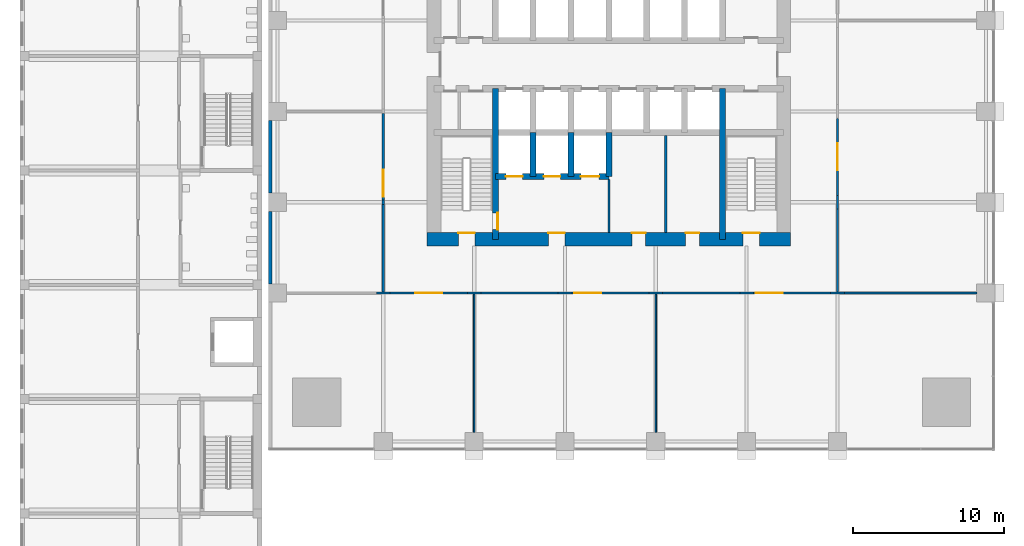
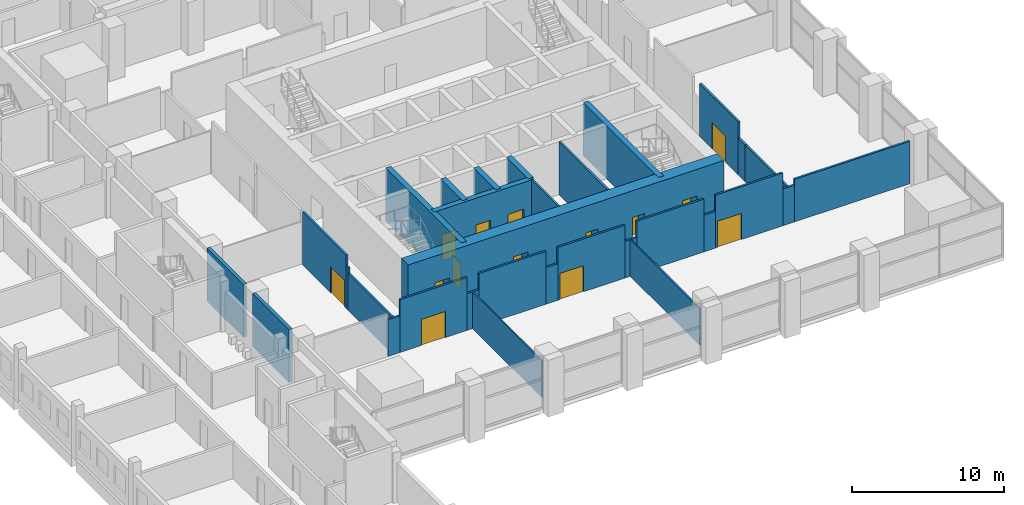
# One storey, part 11 of 24: 31 walls, 14 doors, 14 openings.
"""IFC4 building model written with IfcOpenShell, lengths in metres."""

from ifc_helpers import new_model, si_unit, direction, frame, frame_2d, origin, place, context, subcontext, project, spatial, rectangle, extrude, material, layer, layer_set, type_object, element, fill, save


model = new_model("IFC4")

# Units and contexts
model_context = context("Model", 3, precision=1e-05, world=origin(), true_north=direction((0.0, 1.0)))
body_context = subcontext(model_context, "Body", "Model", "MODEL_VIEW")
ifc_project = project(units=[si_unit("LENGTHUNIT", "METRE"), si_unit("AREAUNIT", "SQUARE_METRE"), si_unit("VOLUMEUNIT", "CUBIC_METRE"), si_unit("PLANEANGLEUNIT", "RADIAN"), si_unit("MASSUNIT", "GRAM", prefix="KILO")], contexts=[model_context])

# Site, building, storey
site_placement = place(None, origin())
site = spatial("IfcSite", under=ifc_project, at=site_placement, CompositionType="ELEMENT")
building_placement = place(site_placement, origin())
building = spatial("IfcBuilding", under=site, at=building_placement, Name="Amberfall Residences", CompositionType="ELEMENT")
storey_placement = place(building_placement, frame((0.0, 0.0, 19.0)))
storey = spatial("IfcBuildingStorey", under=building, at=storey_placement, Name="L04", CompositionType="ELEMENT", Elevation=19.0)

# Wall, opening, door
ifc_material_1 = material(Name="Concrete C80", Category="concrete")
ifc_layer_1 = layer(ifc_material_1, 0.39990234375)
ifc_layer_set_1 = layer_set([ifc_layer_1], Name="Core wall 400 C80")
wall_type_1 = type_object("IfcWallType", Name="Core wall 400 C80", PredefinedType="SHEAR", material=ifc_layer_set_1)
wall_1_placement = place(storey_placement, frame((67.0, 33.949951171875, 0.0), z_axis=(0.0, 0.0, 1.0), x_axis=(0.0, 1.0, 0.0)))
wall_1 = element("IfcWall", 1, at=wall_1_placement, inside=storey, type_object=wall_type_1, Name="Core wall RW2 L04 V45S", PredefinedType="SHEAR", context=body_context, shape_type="SweptSolid", body=[
    extrude(rectangle(XDim=9.949951171875, YDim=0.39990234375, at=frame_2d((4.97509765625, 0.0))), origin(), (0.0, 0.0, 1.0), 4.25),
])
opening_1_placement = place(wall_1_placement, frame((0.64990234375, 0.0, 0.0)))
opening_1 = element("IfcOpeningElement", 2, at=opening_1_placement, cuts=wall_1, Name="Opening FL1", PredefinedType="OPENING", context=body_context, shape_type="SweptSolid", body=[
    extrude(rectangle(XDim=1.10009765625, YDim=2.10009765625, at=frame_2d((0.550048828125, 1.050048828125))), frame((0.0, 0.2099609375, 0.0), z_axis=(0.0, -1.0, 0.0), x_axis=(1.0, 0.0, 0.0)), (0.0, 0.0, 1.0), 0.419921875),
])
ifc_material_2 = material(Name="Steel fire door set", Category="steel")
door_type_1 = type_object("IfcDoorType", Name="Firefighting lobby door 1100 x 2100", OperationType="SINGLE_SWING_LEFT", PredefinedType="DOOR", material=ifc_material_2)
door_1_placement = place(opening_1_placement, origin())
door_1 = element("IfcDoor", 3, at=door_1_placement, inside=storey, type_object=door_type_1, Name="FL1 L04", OperationType="SINGLE_SWING_RIGHT", OverallHeight=2.10009765625, OverallWidth=1.10009765625, PredefinedType="DOOR", context=body_context, shape_type="SweptSolid", body=[
    extrude(rectangle(XDim=1.10009765625, YDim=2.10009765625, at=frame_2d((0.550048828125, 1.050048828125))), frame((0.0, -0.1376953125, 0.0), z_axis=(0.0, -1.0, 0.0), x_axis=(1.0, 0.0, 0.0)), (0.0, 0.0, 1.0), 0.050048828125),
])
fill(opening_1, door_1)

# Wall
wall_2_placement = place(storey_placement, frame((82.0, 33.949951171875, 0.0), z_axis=(0.0, 0.0, 1.0), x_axis=(0.0, 1.0, 0.0)))
element("IfcWall", 4, at=wall_2_placement, inside=storey, type_object=wall_type_1, Name="Core wall RW2 L04 V195S", PredefinedType="SHEAR", context=body_context, shape_type="SweptSolid", body=[
    extrude(rectangle(XDim=9.949951171875, YDim=0.39990234375, at=frame_2d((4.97509765625, 0.0))), origin(), (0.0, 0.0, 1.0), 4.25),
])

# Wall, openings, doors
wall_3_placement = place(storey_placement, frame((67.0, 38.10009765625, 0.0), z_axis=(0.0, 0.0, 1.0), x_axis=(1.0, 0.0, 0.0)))
wall_3 = element("IfcWall", 5, at=wall_3_placement, inside=storey, type_object=wall_type_1, Name="Core wall RW2 L04 FFF", PredefinedType="SHEAR", context=body_context, shape_type="SweptSolid", body=[
    extrude(rectangle(XDim=7.5, YDim=0.39990234375, at=frame_2d((3.75, 0.0))), origin(), (0.0, 0.0, 1.0), 4.25),
])
opening_2_placement = place(wall_3_placement, frame((0.699951171875, 0.0, 0.0)))
opening_2 = element("IfcOpeningElement", 6, at=opening_2_placement, cuts=wall_3, Name="Opening LD2", PredefinedType="OPENING", context=body_context, shape_type="SweptSolid", body=[
    extrude(rectangle(XDim=1.10009765625, YDim=2.10009765625, at=frame_2d((0.550048828125, 1.050048828125))), frame((0.0, 0.2099609375, 0.0), z_axis=(0.0, -1.0, 0.0), x_axis=(1.0, 0.0, 0.0)), (0.0, 0.0, 1.0), 0.419921875),
])
opening_3_placement = place(wall_3_placement, frame((3.199951171875, 0.0, 0.0)))
opening_3 = element("IfcOpeningElement", 7, at=opening_3_placement, cuts=wall_3, Name="Opening LD2", PredefinedType="OPENING", context=body_context, shape_type="SweptSolid", body=[
    extrude(rectangle(XDim=1.10009765625, YDim=2.10009765625, at=frame_2d((0.550048828125, 1.050048828125))), frame((0.0, 0.2099609375, 0.0), z_axis=(0.0, -1.0, 0.0), x_axis=(1.0, 0.0, 0.0)), (0.0, 0.0, 1.0), 0.419921875),
])
opening_4_placement = place(wall_3_placement, frame((5.64990234375, 0.0, 0.0)))
opening_4 = element("IfcOpeningElement", 8, at=opening_4_placement, cuts=wall_3, Name="Opening LD3", PredefinedType="OPENING", context=body_context, shape_type="SweptSolid", body=[
    extrude(rectangle(XDim=1.199951171875, YDim=2.10009765625, at=frame_2d((0.60009765625, 1.050048828125))), frame((0.0, 0.2099609375, 0.0), z_axis=(0.0, -1.0, 0.0), x_axis=(1.0, 0.0, 0.0)), (0.0, 0.0, 1.0), 0.419921875),
])
door_type_2 = type_object("IfcDoorType", Name="Firefighting lift landing door 1100 x 2100", OperationType="DOUBLE_DOOR_SLIDING", PredefinedType="DOOR", material=ifc_material_2)
door_2_placement = place(opening_2_placement, origin())
door_2 = element("IfcDoor", 9, at=door_2_placement, inside=storey, type_object=door_type_2, Name="Landing door FF1 L04", OperationType="DOUBLE_DOOR_SLIDING", OverallHeight=2.10009765625, OverallWidth=1.10009765625, PredefinedType="DOOR", context=body_context, shape_type="SweptSolid", body=[
    extrude(rectangle(XDim=1.10009765625, YDim=2.10009765625, at=frame_2d((0.550048828125, 1.050048828125))), frame((0.0, 0.02490234375, 0.0), z_axis=(0.0, -1.0, 0.0), x_axis=(1.0, 0.0, 0.0)), (0.0, 0.0, 1.0), 0.050048828125),
])
fill(opening_2, door_2)
door_3_placement = place(opening_3_placement, origin())
door_3 = element("IfcDoor", 10, at=door_3_placement, inside=storey, type_object=door_type_2, Name="Landing door FF2 L04", OperationType="DOUBLE_DOOR_SLIDING", OverallHeight=2.10009765625, OverallWidth=1.10009765625, PredefinedType="DOOR", context=body_context, shape_type="SweptSolid", body=[
    extrude(rectangle(XDim=1.10009765625, YDim=2.10009765625, at=frame_2d((0.550048828125, 1.050048828125))), frame((0.0, 0.02490234375, 0.0), z_axis=(0.0, -1.0, 0.0), x_axis=(1.0, 0.0, 0.0)), (0.0, 0.0, 1.0), 0.050048828125),
])
fill(opening_3, door_3)
door_type_3 = type_object("IfcDoorType", Name="Service lift landing door 1200 x 2100", OperationType="DOUBLE_DOOR_SLIDING", PredefinedType="DOOR", material=ifc_material_2)
door_4_placement = place(opening_4_placement, origin())
door_4 = element("IfcDoor", 11, at=door_4_placement, inside=storey, type_object=door_type_3, Name="Landing door SL1 L04", OperationType="DOUBLE_DOOR_SLIDING", OverallHeight=2.10009765625, OverallWidth=1.199951171875, PredefinedType="DOOR", context=body_context, shape_type="SweptSolid", body=[
    extrude(rectangle(XDim=1.199951171875, YDim=2.10009765625, at=frame_2d((0.60009765625, 1.050048828125))), frame((0.0, 0.02490234375, 0.0), z_axis=(0.0, -1.0, 0.0), x_axis=(1.0, 0.0, 0.0)), (0.0, 0.0, 1.0), 0.050048828125),
])
fill(opening_4, door_4)

# Walls
for number, where, z_axis, x_axis, name in (
    (12, (69.5, 38.10009765625, 0.0), (0.0, 0.0, 1.0), (0.0, 1.0, 0.0), "Core wall RW2 L04 FFD1"),
    (13, (72.0, 38.10009765625, 0.0), (0.0, 0.0, 1.0), (0.0, 1.0, 0.0), "Core wall RW2 L04 FFD2"),
    (14, (74.5, 38.10009765625, 0.0), (0.0, 0.0, 1.0), (0.0, 1.0, 0.0), "Core wall RW2 L04 FFD3"),
):
    element("IfcWall", number, at=place(storey_placement, frame(where, z_axis=z_axis, x_axis=x_axis)), inside=storey, type_object=wall_type_1, Name=name, PredefinedType="SHEAR", context=body_context, shape_type="SweptSolid", body=[
        extrude(rectangle(XDim=2.89990234375, YDim=0.39990234375, at=frame_2d((1.449951171875, 0.0))), origin(), (0.0, 0.0, 1.0), 4.25),
    ])

# Wall, openings, doors
ifc_layer_2 = layer(ifc_material_1, 0.89990234375)
ifc_layer_set_2 = layer_set([ifc_layer_2], Name="Core wall 900 C80")
wall_type_2 = type_object("IfcWallType", Name="Core wall 900 C80", PredefinedType="SHEAR", material=ifc_layer_set_2)
wall_4_placement = place(storey_placement, frame((62.5, 33.949951171875, 0.0), z_axis=(0.0, 0.0, 1.0), x_axis=(1.0, 0.0, 0.0)))
wall_4 = element("IfcWall", 15, at=wall_4_placement, inside=storey, type_object=wall_type_2, Name="Core wall RW1 L04 OS", PredefinedType="SHEAR", context=body_context, shape_type="SweptSolid", body=[
    extrude(rectangle(XDim=24.0, YDim=0.89990234375, at=frame_2d((12.0, 0.0))), origin(), (0.0, 0.0, 1.0), 4.25),
])
opening_5_placement = place(wall_4_placement, frame((2.050048828125, 0.0, 0.0)))
opening_5 = element("IfcOpeningElement", 16, at=opening_5_placement, cuts=wall_4, Name="Opening SD1", PredefinedType="OPENING", context=body_context, shape_type="SweptSolid", body=[
    extrude(rectangle(XDim=1.10009765625, YDim=2.10009765625, at=frame_2d((0.550048828125, 1.050048828125))), frame((0.0, 0.4599609375, 0.0), z_axis=(0.0, -1.0, 0.0), x_axis=(1.0, 0.0, 0.0)), (0.0, 0.0, 1.0), 0.919921875),
])
opening_6_placement = place(wall_4_placement, frame((20.85009765625, 0.0, 0.0)))
opening_6 = element("IfcOpeningElement", 17, at=opening_6_placement, cuts=wall_4, Name="Opening SD1", PredefinedType="OPENING", context=body_context, shape_type="SweptSolid", body=[
    extrude(rectangle(XDim=1.10009765625, YDim=2.10009765625, at=frame_2d((0.550048828125, 1.050048828125))), frame((0.0, 0.4599609375, 0.0), z_axis=(0.0, -1.0, 0.0), x_axis=(1.0, 0.0, 0.0)), (0.0, 0.0, 1.0), 0.919921875),
])
opening_7_placement = place(wall_4_placement, frame((8.0, 0.0, 0.0)))
opening_7 = element("IfcOpeningElement", 18, at=opening_7_placement, cuts=wall_4, Name="Opening FL1", PredefinedType="OPENING", context=body_context, shape_type="SweptSolid", body=[
    extrude(rectangle(XDim=1.10009765625, YDim=2.10009765625, at=frame_2d((0.550048828125, 1.050048828125))), frame((0.0, 0.4599609375, 0.0), z_axis=(0.0, -1.0, 0.0), x_axis=(1.0, 0.0, 0.0)), (0.0, 0.0, 1.0), 0.919921875),
])
opening_8_placement = place(wall_4_placement, frame((13.52490234375, 0.0, 0.0)))
opening_8 = element("IfcOpeningElement", 19, at=opening_8_placement, cuts=wall_4, Name="Opening RD1", PredefinedType="OPENING", context=body_context, shape_type="SweptSolid", body=[
    extrude(rectangle(XDim=0.89990234375, YDim=2.10009765625, at=frame_2d((0.449951171875, 1.050048828125))), frame((0.0, 0.4599609375, 0.0), z_axis=(0.0, -1.0, 0.0), x_axis=(1.0, 0.0, 0.0)), (0.0, 0.0, 1.0), 0.919921875),
])
opening_9_placement = place(wall_4_placement, frame((17.074951171875, 0.0, 0.0)))
opening_9 = element("IfcOpeningElement", 20, at=opening_9_placement, cuts=wall_4, Name="Opening RD1", PredefinedType="OPENING", context=body_context, shape_type="SweptSolid", body=[
    extrude(rectangle(XDim=0.89990234375, YDim=2.10009765625, at=frame_2d((0.449951171875, 1.050048828125))), frame((0.0, 0.4599609375, 0.0), z_axis=(0.0, -1.0, 0.0), x_axis=(1.0, 0.0, 0.0)), (0.0, 0.0, 1.0), 0.919921875),
])
door_5_placement = place(opening_7_placement, origin())
door_5 = element("IfcDoor", 21, at=door_5_placement, inside=storey, type_object=door_type_1, Name="FL1 L04", OperationType="SINGLE_SWING_LEFT", OverallHeight=2.10009765625, OverallWidth=1.10009765625, PredefinedType="DOOR", context=body_context, shape_type="SweptSolid", body=[
    extrude(rectangle(XDim=1.10009765625, YDim=2.10009765625, at=frame_2d((0.550048828125, 1.050048828125))), frame((0.0, 0.4375, 0.0), z_axis=(0.0, -1.0, 0.0), x_axis=(1.0, 0.0, 0.0)), (0.0, 0.0, 1.0), 0.050048828125),
])
fill(opening_7, door_5)
door_type_4 = type_object("IfcDoorType", Name="Service room door 900 x 2100", OperationType="SINGLE_SWING_LEFT", PredefinedType="DOOR", material=ifc_material_2)
door_6_placement = place(opening_8_placement, origin())
door_6 = element("IfcDoor", 22, at=door_6_placement, inside=storey, type_object=door_type_4, Name="RD1 L04", OperationType="SINGLE_SWING_LEFT", OverallHeight=2.10009765625, OverallWidth=0.89990234375, PredefinedType="DOOR", context=body_context, shape_type="SweptSolid", body=[
    extrude(rectangle(XDim=0.89990234375, YDim=2.10009765625, at=frame_2d((0.449951171875, 1.050048828125))), frame((0.0, 0.4375, 0.0), z_axis=(0.0, -1.0, 0.0), x_axis=(1.0, 0.0, 0.0)), (0.0, 0.0, 1.0), 0.050048828125),
])
fill(opening_8, door_6)
door_7_placement = place(opening_9_placement, origin())
door_7 = element("IfcDoor", 23, at=door_7_placement, inside=storey, type_object=door_type_4, Name="RD1 L04", OperationType="SINGLE_SWING_LEFT", OverallHeight=2.10009765625, OverallWidth=0.89990234375, PredefinedType="DOOR", context=body_context, shape_type="SweptSolid", body=[
    extrude(rectangle(XDim=0.89990234375, YDim=2.10009765625, at=frame_2d((0.449951171875, 1.050048828125))), frame((0.0, 0.4375, 0.0), z_axis=(0.0, -1.0, 0.0), x_axis=(1.0, 0.0, 0.0)), (0.0, 0.0, 1.0), 0.050048828125),
])
fill(opening_9, door_7)
door_type_5 = type_object("IfcDoorType", Name="Stair door 1100 x 2100", OperationType="SINGLE_SWING_LEFT", PredefinedType="DOOR", material=ifc_material_2)
door_8_placement = place(opening_5_placement, origin())
door_8 = element("IfcDoor", 24, at=door_8_placement, inside=storey, type_object=door_type_5, Name="SD1 L04", OperationType="SINGLE_SWING_LEFT", OverallHeight=2.10009765625, OverallWidth=1.10009765625, PredefinedType="DOOR", context=body_context, shape_type="SweptSolid", body=[
    extrude(rectangle(XDim=1.10009765625, YDim=2.10009765625, at=frame_2d((0.550048828125, 1.050048828125))), frame((0.0, 0.4375, 0.0), z_axis=(0.0, -1.0, 0.0), x_axis=(1.0, 0.0, 0.0)), (0.0, 0.0, 1.0), 0.050048828125),
])
fill(opening_5, door_8)
door_9_placement = place(opening_6_placement, origin())
door_9 = element("IfcDoor", 25, at=door_9_placement, inside=storey, type_object=door_type_5, Name="SD1 L04", OperationType="SINGLE_SWING_RIGHT", OverallHeight=2.10009765625, OverallWidth=1.10009765625, PredefinedType="DOOR", context=body_context, shape_type="SweptSolid", body=[
    extrude(rectangle(XDim=1.10009765625, YDim=2.10009765625, at=frame_2d((0.550048828125, 1.050048828125))), frame((0.0, 0.4375, 0.0), z_axis=(0.0, -1.0, 0.0), x_axis=(1.0, 0.0, 0.0)), (0.0, 0.0, 1.0), 0.050048828125),
])
fill(opening_6, door_9)

# Walls
ifc_material_3 = material(Name="Gypsum board on steel studs", Category="steel")
ifc_layer_3 = layer(ifc_material_3, 0.10009765625)
ifc_layer_set_3 = layer_set([ifc_layer_3], Name="Partition 100")
wall_type_3 = type_object("IfcWallType", Name="Partition 100", PredefinedType="PARTITIONING", material=ifc_layer_set_3)
for number, where, z_axis, x_axis, name in (
    (26, (65.60009765625, 21.199951171875, 0.0), (0.0, 0.0, 1.0), (0.0, 1.0, 0.0), "Partition 100 L04 004"),
    (27, (77.60009765625, 21.199951171875, 0.0), (0.0, 0.0, 1.0), (0.0, 1.0, 0.0), "Partition 100 L04 011"),
):
    element("IfcWall", number, at=place(storey_placement, frame(where, z_axis=z_axis, x_axis=x_axis)), inside=storey, type_object=wall_type_3, Name=name, PredefinedType="PARTITIONING", context=body_context, shape_type="SweptSolid", body=[
        extrude(rectangle(XDim=9.125, YDim=0.10009765625, at=frame_2d((4.5625, 0.0))), origin(), (0.0, 0.0, 1.0), 2.949951171875),
    ])
ifc_material_4 = material(Name="Fire-rated gypsum board on steel studs", Category="steel")
ifc_layer_4 = layer(ifc_material_4, 0.14990234375)
ifc_layer_set_4 = layer_set([ifc_layer_4], Name="Partition 150 fire-rated")
wall_type_4 = type_object("IfcWallType", Name="Partition 150 fire-rated", PredefinedType="PARTITIONING", material=ifc_layer_set_4)
wall_5_placement = place(storey_placement, frame((59.14990234375, 30.39990234375, 0.0), z_axis=(0.0, 0.0, 1.0), x_axis=(1.0, 0.0, 0.0)))
element("IfcWall", 28, at=wall_5_placement, inside=storey, type_object=wall_type_4, Name="Partition 150 fire-rated L04 002", PredefinedType="PARTITIONING", context=body_context, shape_type="SweptSolid", body=[
    extrude(rectangle(XDim=0.900146484375, YDim=0.14990234375, at=frame_2d((0.4501953125, 0.0))), origin(), (0.0, 0.0, 1.0), 2.947021484375),
])

# Wall, opening, door
wall_6_placement = place(storey_placement, frame((60.050048828125, 30.39990234375, 0.0), z_axis=(0.0, 0.0, 1.0), x_axis=(1.0, 0.0, 0.0)))
wall_6 = element("IfcWall", 29, at=wall_6_placement, inside=storey, type_object=wall_type_4, Name="Partition 150 fire-rated L04 003", PredefinedType="PARTITIONING", context=body_context, shape_type="SweptSolid", body=[
    extrude(rectangle(XDim=5.099853515625, YDim=0.14990234375, at=frame_2d((2.5498046875, 0.0))), origin(), (0.0, 0.0, 1.0), 4.25),
])
opening_10_placement = place(wall_6_placement, frame((1.64990234375, 0.0, 0.0)))
opening_10 = element("IfcOpeningElement", 30, at=opening_10_placement, cuts=wall_6, Name="Opening D5", PredefinedType="OPENING", context=body_context, shape_type="SweptSolid", body=[
    extrude(rectangle(XDim=1.800048828125, YDim=2.10009765625, at=frame_2d((0.89990234375, 1.050048828125))), frame((0.0, 0.0849609375, 0.0), z_axis=(0.0, -1.0, 0.0), x_axis=(1.0, 0.0, 0.0)), (0.0, 0.0, 1.0), 0.169921875),
])
ifc_material_5 = material(Name="Timber veneer door leaf", Category="wood")
door_type_6 = type_object("IfcDoorType", Name="Double door 1800x2100", OperationType="DOUBLE_DOOR_SINGLE_SWING", PredefinedType="DOOR", material=ifc_material_5)
door_10_placement = place(opening_10_placement, origin())
door_10 = element("IfcDoor", 31, at=door_10_placement, inside=storey, type_object=door_type_6, Name="Door Function room 1", OperationType="DOUBLE_DOOR_SINGLE_SWING", OverallHeight=2.10009765625, OverallWidth=1.800048828125, PredefinedType="DOOR", context=body_context, shape_type="SweptSolid", body=[
    extrude(rectangle(XDim=1.800048828125, YDim=2.10009765625, at=frame_2d((0.89990234375, 1.050048828125))), frame((0.0, 0.02490234375, 0.0), z_axis=(0.0, -1.0, 0.0), x_axis=(1.0, 0.0, 0.0)), (0.0, 0.0, 1.0), 0.050048828125),
])
fill(opening_10, door_10)

# Walls
wall_7_placement = place(storey_placement, frame((65.14990234375, 30.39990234375, 0.0), z_axis=(0.0, 0.0, 1.0), x_axis=(1.0, 0.0, 0.0)))
element("IfcWall", 32, at=wall_7_placement, inside=storey, type_object=wall_type_4, Name="Partition 150 fire-rated L04 004", PredefinedType="PARTITIONING", context=body_context, shape_type="SweptSolid", body=[
    extrude(rectangle(XDim=0.900146484375, YDim=0.14990234375, at=frame_2d((0.4501953125, 0.0))), origin(), (0.0, 0.0, 1.0), 2.949951171875),
])
wall_8_placement = place(storey_placement, frame((66.050048828125, 30.39990234375, 0.0), z_axis=(0.0, 0.0, 1.0), x_axis=(1.0, 0.0, 0.0)))
element("IfcWall", 33, at=wall_8_placement, inside=storey, type_object=wall_type_4, Name="Partition 150 fire-rated L04 005", PredefinedType="PARTITIONING", context=body_context, shape_type="SweptSolid", body=[
    extrude(rectangle(XDim=5.099853515625, YDim=0.14990234375, at=frame_2d((2.5498046875, 0.0))), origin(), (0.0, 0.0, 1.0), 4.25),
])
wall_9_placement = place(storey_placement, frame((71.14990234375, 30.39990234375, 0.0), z_axis=(0.0, 0.0, 1.0), x_axis=(1.0, 0.0, 0.0)))
element("IfcWall", 34, at=wall_9_placement, inside=storey, type_object=wall_type_4, Name="Partition 150 fire-rated L04 006", PredefinedType="PARTITIONING", context=body_context, shape_type="SweptSolid", body=[
    extrude(rectangle(XDim=0.900146484375, YDim=0.14990234375, at=frame_2d((0.4501953125, 0.0))), origin(), (0.0, 0.0, 1.0), 2.949951171875),
])

# Wall, opening, door
wall_10_placement = place(storey_placement, frame((72.050048828125, 30.39990234375, 0.0), z_axis=(0.0, 0.0, 1.0), x_axis=(1.0, 0.0, 0.0)))
wall_10 = element("IfcWall", 35, at=wall_10_placement, inside=storey, type_object=wall_type_4, Name="Partition 150 fire-rated L04 007", PredefinedType="PARTITIONING", context=body_context, shape_type="SweptSolid", body=[
    extrude(rectangle(XDim=5.099853515625, YDim=0.14990234375, at=frame_2d((2.5498046875, 0.0))), origin(), (0.0, 0.0, 1.0), 4.25),
])
opening_11_placement = place(wall_10_placement, frame((0.14990234375, 0.0, 0.0)))
opening_11 = element("IfcOpeningElement", 36, at=opening_11_placement, cuts=wall_10, Name="Opening D5", PredefinedType="OPENING", context=body_context, shape_type="SweptSolid", body=[
    extrude(rectangle(XDim=1.800048828125, YDim=2.10009765625, at=frame_2d((0.89990234375, 1.050048828125))), frame((0.0, 0.0849609375, 0.0), z_axis=(0.0, -1.0, 0.0), x_axis=(1.0, 0.0, 0.0)), (0.0, 0.0, 1.0), 0.169921875),
])
door_11_placement = place(opening_11_placement, origin())
door_11 = element("IfcDoor", 37, at=door_11_placement, inside=storey, type_object=door_type_6, Name="Door Function room 2", OperationType="DOUBLE_DOOR_SINGLE_SWING", OverallHeight=2.10009765625, OverallWidth=1.800048828125, PredefinedType="DOOR", context=body_context, shape_type="SweptSolid", body=[
    extrude(rectangle(XDim=1.800048828125, YDim=2.10009765625, at=frame_2d((0.89990234375, 1.050048828125))), frame((0.0, 0.02490234375, 0.0), z_axis=(0.0, -1.0, 0.0), x_axis=(1.0, 0.0, 0.0)), (0.0, 0.0, 1.0), 0.050048828125),
])
fill(opening_11, door_11)

# Walls
wall_11_placement = place(storey_placement, frame((77.14990234375, 30.39990234375, 0.0), z_axis=(0.0, 0.0, 1.0), x_axis=(1.0, 0.0, 0.0)))
element("IfcWall", 38, at=wall_11_placement, inside=storey, type_object=wall_type_4, Name="Partition 150 fire-rated L04 008", PredefinedType="PARTITIONING", context=body_context, shape_type="SweptSolid", body=[
    extrude(rectangle(XDim=0.900146484375, YDim=0.14990234375, at=frame_2d((0.4501953125, 0.0))), origin(), (0.0, 0.0, 1.0), 2.949951171875),
])
wall_12_placement = place(storey_placement, frame((78.050048828125, 30.39990234375, 0.0), z_axis=(0.0, 0.0, 1.0), x_axis=(1.0, 0.0, 0.0)))
element("IfcWall", 39, at=wall_12_placement, inside=storey, type_object=wall_type_4, Name="Partition 150 fire-rated L04 009", PredefinedType="PARTITIONING", context=body_context, shape_type="SweptSolid", body=[
    extrude(rectangle(XDim=5.099853515625, YDim=0.14990234375, at=frame_2d((2.5498046875, 0.0))), origin(), (0.0, 0.0, 1.0), 4.25),
])
wall_13_placement = place(storey_placement, frame((83.14990234375, 30.39990234375, 0.0), z_axis=(0.0, 0.0, 1.0), x_axis=(1.0, 0.0, 0.0)))
element("IfcWall", 40, at=wall_13_placement, inside=storey, type_object=wall_type_4, Name="Partition 150 fire-rated L04 010", PredefinedType="PARTITIONING", context=body_context, shape_type="SweptSolid", body=[
    extrude(rectangle(XDim=0.900146484375, YDim=0.14990234375, at=frame_2d((0.4501953125, 0.0))), origin(), (0.0, 0.0, 1.0), 2.949951171875),
])

# Wall, opening, door
wall_14_placement = place(storey_placement, frame((84.050048828125, 30.39990234375, 0.0), z_axis=(0.0, 0.0, 1.0), x_axis=(1.0, 0.0, 0.0)))
wall_14 = element("IfcWall", 41, at=wall_14_placement, inside=storey, type_object=wall_type_4, Name="Partition 150 fire-rated L04 011", PredefinedType="PARTITIONING", context=body_context, shape_type="SweptSolid", body=[
    extrude(rectangle(XDim=5.099853515625, YDim=0.14990234375, at=frame_2d((2.5498046875, 0.0))), origin(), (0.0, 0.0, 1.0), 4.25),
])
opening_12_placement = place(wall_14_placement, frame((0.14990234375, 0.0, 0.0)))
opening_12 = element("IfcOpeningElement", 42, at=opening_12_placement, cuts=wall_14, Name="Opening D5", PredefinedType="OPENING", context=body_context, shape_type="SweptSolid", body=[
    extrude(rectangle(XDim=1.800048828125, YDim=2.10009765625, at=frame_2d((0.89990234375, 1.050048828125))), frame((0.0, 0.0849609375, 0.0), z_axis=(0.0, -1.0, 0.0), x_axis=(1.0, 0.0, 0.0)), (0.0, 0.0, 1.0), 0.169921875),
])
door_12_placement = place(opening_12_placement, origin())
door_12 = element("IfcDoor", 43, at=door_12_placement, inside=storey, type_object=door_type_6, Name="Door Residents event hall", OperationType="DOUBLE_DOOR_SINGLE_SWING", OverallHeight=2.10009765625, OverallWidth=1.800048828125, PredefinedType="DOOR", context=body_context, shape_type="SweptSolid", body=[
    extrude(rectangle(XDim=1.800048828125, YDim=2.10009765625, at=frame_2d((0.89990234375, 1.050048828125))), frame((0.0, 0.02490234375, 0.0), z_axis=(0.0, -1.0, 0.0), x_axis=(1.0, 0.0, 0.0)), (0.0, 0.0, 1.0), 0.050048828125),
])
fill(opening_12, door_12)

# Walls
wall_15_placement = place(storey_placement, frame((89.14990234375, 30.39990234375, 0.0), z_axis=(0.0, 0.0, 1.0), x_axis=(1.0, 0.0, 0.0)))
element("IfcWall", 44, at=wall_15_placement, inside=storey, type_object=wall_type_4, Name="Partition 150 fire-rated L04 012", PredefinedType="PARTITIONING", context=body_context, shape_type="SweptSolid", body=[
    extrude(rectangle(XDim=0.900146484375, YDim=0.14990234375, at=frame_2d((0.4501953125, 0.0))), origin(), (0.0, 0.0, 1.0), 2.947021484375),
])
wall_16_placement = place(storey_placement, frame((90.050048828125, 30.39990234375, 0.0), z_axis=(0.0, 0.0, 1.0), x_axis=(1.0, 0.0, 0.0)))
element("IfcWall", 45, at=wall_16_placement, inside=storey, type_object=wall_type_4, Name="Partition 150 fire-rated L04 013", PredefinedType="PARTITIONING", context=body_context, shape_type="SweptSolid", body=[
    extrude(rectangle(XDim=8.75, YDim=0.14990234375, at=frame_2d((4.375, 0.0))), origin(), (0.0, 0.0, 1.0), 3.4150390625),
])
wall_17_placement = place(storey_placement, frame((59.60009765625, 30.47509765625, 0.0), z_axis=(0.0, 0.0, 1.0), x_axis=(0.0, 1.0, 0.0)))
element("IfcWall", 46, at=wall_17_placement, inside=storey, type_object=wall_type_4, Name="Partition 150 fire-rated L04 028", PredefinedType="PARTITIONING", context=body_context, shape_type="SweptSolid", body=[
    extrude(rectangle(XDim=5.779052734375, YDim=0.14990234375, at=frame_2d((2.8896484375, 0.0))), origin(), (0.0, 0.0, 1.0), 2.947021484375),
])
wall_18_placement = place(storey_placement, frame((59.60009765625, 36.25927734375, 0.0), z_axis=(0.0, 0.0, 1.0), x_axis=(0.0, 1.0, 0.0)))
element("IfcWall", 47, at=wall_18_placement, inside=storey, type_object=wall_type_4, Name="Partition 150 fire-rated L04 029", PredefinedType="PARTITIONING", context=body_context, shape_type="SweptSolid", body=[
    extrude(rectangle(XDim=0.28662109375, YDim=0.14990234375, at=frame_2d((0.143310546875, 0.0))), origin(), (0.0, 0.0, 1.0), 3.408935546875),
])

# Wall, opening, door
wall_19_placement = place(storey_placement, frame((59.60009765625, 36.5458984375, 0.0), z_axis=(0.0, 0.0, 1.0), x_axis=(0.0, 1.0, 0.0)))
wall_19 = element("IfcWall", 48, at=wall_19_placement, inside=storey, type_object=wall_type_4, Name="Partition 150 fire-rated L04 030", PredefinedType="PARTITIONING", context=body_context, shape_type="SweptSolid", body=[
    extrude(rectangle(XDim=5.708251953125, YDim=0.14990234375, at=frame_2d((2.85400390625, 0.0))), origin(), (0.0, 0.0, 1.0), 4.25),
])
opening_13_placement = place(wall_19_placement, frame((0.2041015625, 0.0, 0.0)))
opening_13 = element("IfcOpeningElement", 49, at=opening_13_placement, cuts=wall_19, Name="Opening D5", PredefinedType="OPENING", context=body_context, shape_type="SweptSolid", body=[
    extrude(rectangle(XDim=1.800048828125, YDim=2.10009765625, at=frame_2d((0.89990234375, 1.050048828125))), frame((0.0, 0.0849609375, 0.0), z_axis=(0.0, -1.0, 0.0), x_axis=(1.0, 0.0, 0.0)), (0.0, 0.0, 1.0), 0.169921875),
])
door_13_placement = place(opening_13_placement, origin())
door_13 = element("IfcDoor", 50, at=door_13_placement, inside=storey, type_object=door_type_6, Name="Door Teen lounge", OperationType="DOUBLE_DOOR_SINGLE_SWING", OverallHeight=2.10009765625, OverallWidth=1.800048828125, PredefinedType="DOOR", context=body_context, shape_type="SweptSolid", body=[
    extrude(rectangle(XDim=1.800048828125, YDim=2.10009765625, at=frame_2d((0.89990234375, 1.050048828125))), frame((0.0, 0.02490234375, 0.0), z_axis=(0.0, -1.0, 0.0), x_axis=(1.0, 0.0, 0.0)), (0.0, 0.0, 1.0), 0.050048828125),
])
fill(opening_13, door_13)

# Walls
wall_20_placement = place(storey_placement, frame((89.60009765625, 30.47509765625, 0.0), z_axis=(0.0, 0.0, 1.0), x_axis=(0.0, 1.0, 0.0)))
element("IfcWall", 51, at=wall_20_placement, inside=storey, type_object=wall_type_4, Name="Partition 150 fire-rated L04 045", PredefinedType="PARTITIONING", context=body_context, shape_type="SweptSolid", body=[
    extrude(rectangle(XDim=5.474853515625, YDim=0.14990234375, at=frame_2d((2.7373046875, 0.0))), origin(), (0.0, 0.0, 1.0), 2.947021484375),
])
wall_21_placement = place(storey_placement, frame((89.60009765625, 35.955078125, 0.0), z_axis=(0.0, 0.0, 1.0), x_axis=(0.0, 1.0, 0.0)))
element("IfcWall", 52, at=wall_21_placement, inside=storey, type_object=wall_type_4, Name="Partition 150 fire-rated L04 046", PredefinedType="PARTITIONING", context=body_context, shape_type="SweptSolid", body=[
    extrude(rectangle(XDim=0.89501953125, YDim=0.14990234375, at=frame_2d((0.447509765625, 0.0))), origin(), (0.0, 0.0, 1.0), 2.944091796875),
])

# Wall, opening, door
wall_22_placement = place(storey_placement, frame((89.60009765625, 36.85009765625, 0.0), z_axis=(0.0, 0.0, 1.0), x_axis=(0.0, 1.0, 0.0)))
wall_22 = element("IfcWall", 53, at=wall_22_placement, inside=storey, type_object=wall_type_4, Name="Partition 150 fire-rated L04 047", PredefinedType="PARTITIONING", context=body_context, shape_type="SweptSolid", body=[
    extrude(rectangle(XDim=5.099853515625, YDim=0.14990234375, at=frame_2d((2.5498046875, 0.0))), origin(), (0.0, 0.0, 1.0), 4.25),
])
opening_14_placement = place(wall_22_placement, frame((1.64990234375, 0.0, 0.0)))
opening_14 = element("IfcOpeningElement", 54, at=opening_14_placement, cuts=wall_22, Name="Opening D5", PredefinedType="OPENING", context=body_context, shape_type="SweptSolid", body=[
    extrude(rectangle(XDim=1.800048828125, YDim=2.10009765625, at=frame_2d((0.89990234375, 1.050048828125))), frame((0.0, 0.0849609375, 0.0), z_axis=(0.0, -1.0, 0.0), x_axis=(1.0, 0.0, 0.0)), (0.0, 0.0, 1.0), 0.169921875),
])
door_14_placement = place(opening_14_placement, origin())
door_14 = element("IfcDoor", 55, at=door_14_placement, inside=storey, type_object=door_type_6, Name="Door Terrace lounge", OperationType="DOUBLE_DOOR_SINGLE_SWING", OverallHeight=2.10009765625, OverallWidth=1.800048828125, PredefinedType="DOOR", context=body_context, shape_type="SweptSolid", body=[
    extrude(rectangle(XDim=1.800048828125, YDim=2.10009765625, at=frame_2d((0.89990234375, 1.050048828125))), frame((0.0, 0.02490234375, 0.0), z_axis=(0.0, -1.0, 0.0), x_axis=(1.0, 0.0, 0.0)), (0.0, 0.0, 1.0), 0.050048828125),
])
fill(opening_14, door_14)

# Walls
ifc_material_6 = material(Name="Precast concrete C40", Category="concrete")
ifc_layer_5 = layer(ifc_material_6, 0.25)
ifc_layer_set_5 = layer_set([ifc_layer_5], Name="Podium external wall 250")
wall_type_5 = type_object("IfcWallType", Name="Podium external wall 250", PredefinedType="SOLIDWALL", material=ifc_layer_set_5)
for number, where, z_axis, x_axis, name in (
    (56, (52.125, 31.0, 0.0), (0.0, 0.0, 1.0), (0.0, 1.0, 0.0), "Podium external wall W2"),
    (57, (52.125, 37.0, 0.0), (0.0, 0.0, 1.0), (0.0, 1.0, 0.0), "Podium external wall W3"),
):
    element("IfcWall", number, at=place(storey_placement, frame(where, z_axis=z_axis, x_axis=x_axis)), inside=storey, type_object=wall_type_5, Name=name, PredefinedType="SOLIDWALL", context=body_context, shape_type="SweptSolid", body=[
        extrude(rectangle(XDim=4.800048828125, YDim=0.25, at=frame_2d((2.39990234375, 0.0))), origin(), (0.0, 0.0, 1.0), 4.25),
    ])
ifc_material_7 = material(Name="Concrete blockwork", Category="masonry")
ifc_layer_6 = layer(ifc_material_7, 0.14990234375)
ifc_layer_set_6 = layer_set([ifc_layer_6], Name="Riser wall 150")
wall_type_6 = type_object("IfcWallType", Name="Riser wall 150", PredefinedType="PLUMBINGWALL", material=ifc_layer_set_6)
wall_23_placement = place(storey_placement, frame((74.5, 34.39990234375, 0.0), z_axis=(0.0, 0.0, 1.0), x_axis=(0.0, 1.0, 0.0)))
element("IfcWall", 58, at=wall_23_placement, inside=storey, type_object=wall_type_6, Name="L04 core wall PX", PredefinedType="PLUMBINGWALL", context=body_context, shape_type="SweptSolid", body=[
    extrude(rectangle(XDim=3.5, YDim=0.14990234375, at=frame_2d((1.75, 0.0))), origin(), (0.0, 0.0, 1.0), 4.25),
])
wall_24_placement = place(storey_placement, frame((78.25, 34.39990234375, 0.0), z_axis=(0.0, 0.0, 1.0), x_axis=(0.0, 1.0, 0.0)))
element("IfcWall", 59, at=wall_24_placement, inside=storey, type_object=wall_type_6, Name="L04 core wall E0", PredefinedType="PLUMBINGWALL", context=body_context, shape_type="SweptSolid", body=[
    extrude(rectangle(XDim=6.400146484375, YDim=0.14990234375, at=frame_2d((3.2001953125, 0.0))), origin(), (0.0, 0.0, 1.0), 4.25),
])

save(model, "model.ifc")
